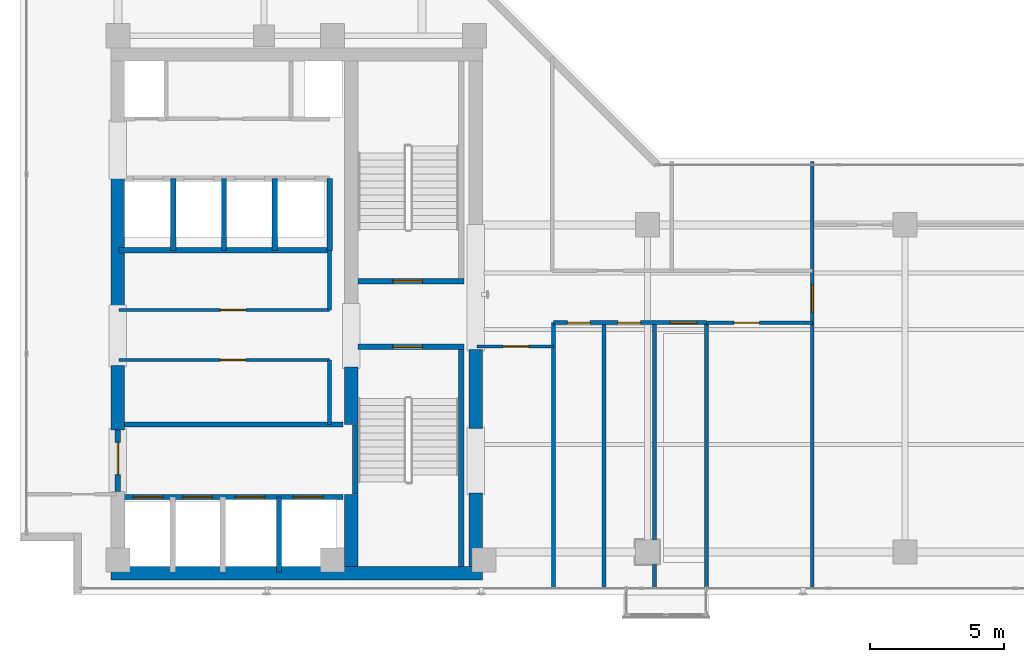
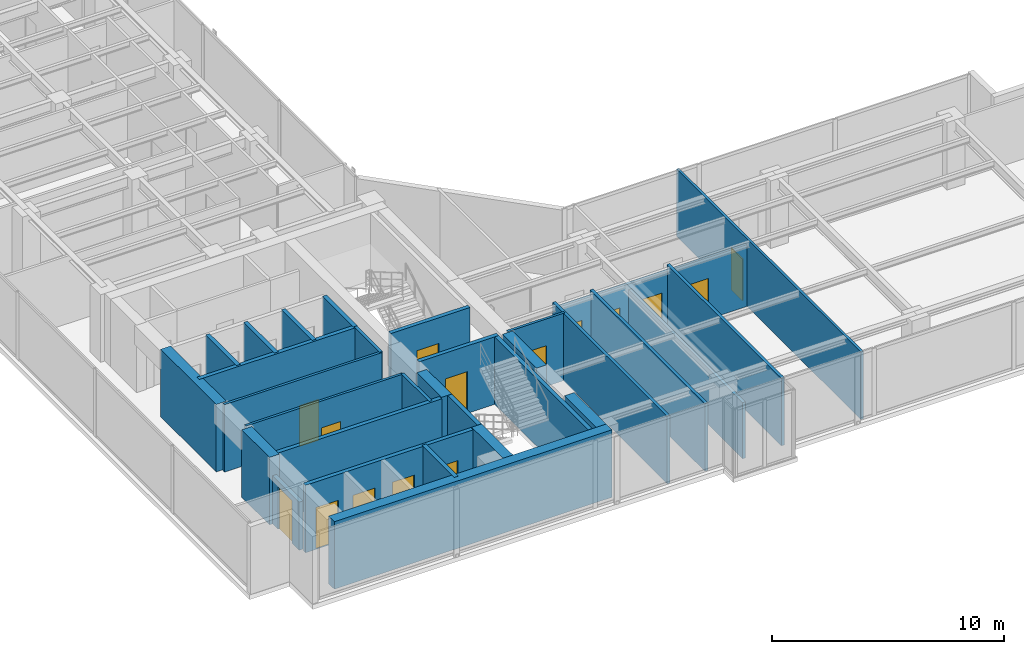
# One storey, part 17 of 22: 32 walls, 15 doors, 15 openings.
"""IFC4 building model written with IfcOpenShell, lengths in metres."""

from ifc_helpers import new_model, si_unit, direction, frame, frame_2d, origin, place, context, subcontext, project, spatial, rectangle, extrude, material, layer, layer_set, type_object, element, fill, save


model = new_model("IFC4")

# Units and contexts
model_context = context("Model", 3, precision=1e-05, world=origin(), true_north=direction((0.0, 1.0)))
body_context = subcontext(model_context, "Body", "Model", "MODEL_VIEW")
ifc_project = project(units=[si_unit("LENGTHUNIT", "METRE"), si_unit("AREAUNIT", "SQUARE_METRE"), si_unit("VOLUMEUNIT", "CUBIC_METRE"), si_unit("PLANEANGLEUNIT", "RADIAN"), si_unit("MASSUNIT", "GRAM", prefix="KILO")], contexts=[model_context])

# Site, building, storey
site_placement = place(None, origin())
site = spatial("IfcSite", under=ifc_project, at=site_placement, CompositionType="ELEMENT")
building_placement = place(site_placement, origin())
building = spatial("IfcBuilding", under=site, at=building_placement, Name="Kolvaren Waterfront Exchange", CompositionType="ELEMENT")
storey_placement = place(building_placement, frame((0.0, 0.0, 308.39990234375)))
storey = spatial("IfcBuildingStorey", under=building, at=storey_placement, Name="L79", CompositionType="ELEMENT", Elevation=308.39990234375)

# Wall, opening, door
ifc_material_1 = material(Name="Precast concrete C40/50", Category="concrete")
ifc_layer_1 = layer(ifc_material_1, 0.199951171875, Name="Precast concrete C40/50")
ifc_layer_set_1 = layer_set([ifc_layer_1], Name="Precast concrete C40/50")
wall_type_1 = type_object("IfcWallType", Name="ARC-FIRE-200", PredefinedType="PARTITIONING", material=ifc_layer_set_1)
wall_1_placement = place(storey_placement, frame((16.39990234375, 12.85009765625, 0.0), z_axis=(0.0, 0.0, 1.0), x_axis=(1.0, 0.0, 0.0)))
wall_1 = element("IfcWall", 1, at=wall_1_placement, inside=storey, type_object=wall_type_1, Name="L79 interior wall PW-L79-ST1-THROAT-S", PredefinedType="PARTITIONING", context=body_context, shape_type="SweptSolid", body=[
    extrude(rectangle(XDim=3.960205078125, YDim=0.199951171875, at=frame_2d((1.97998046875, 0.0))), origin(), (0.0, 0.0, 1.0), 3.56005859375),
])
opening_1_placement = place(wall_1_placement, frame((1.3037109375, 0.0, 0.0)))
opening_1 = element("IfcOpeningElement", 2, at=opening_1_placement, cuts=wall_1, Name="Opening FD2", PredefinedType="OPENING", context=body_context, shape_type="SweptSolid", body=[
    extrude(rectangle(XDim=1.10009765625, YDim=2.199951171875, at=frame_2d((0.550048828125, 1.10009765625))), frame((0.0, 0.10986328125, 0.0), z_axis=(0.0, -1.0, 0.0), x_axis=(1.0, 0.0, 0.0)), (0.0, 0.0, 1.0), 0.219970703125),
])
ifc_material_2 = material(Name="Pressed steel smoke-seal fire door", Category="steel")
door_type_1 = type_object("IfcDoorType", Name="ARC-FD-1100", OperationType="NOTDEFINED", PredefinedType="DOOR", material=ifc_material_2)
door_1_placement = place(opening_1_placement, frame((1.10009765625, 0.0, 0.0), z_axis=(0.0, 0.0, 1.0), x_axis=(-1.0, 0.0, 0.0)))
door_1 = element("IfcDoor", 3, at=door_1_placement, inside=storey, type_object=door_type_1, Name="L79 door DR-L79-ST1-IN (FD2)", OperationType="SINGLE_SWING_RIGHT", OverallHeight=2.199951171875, OverallWidth=1.10009765625, PredefinedType="DOOR", context=body_context, shape_type="SweptSolid", body=[
    extrude(rectangle(XDim=1.10009765625, YDim=2.199951171875, at=frame_2d((0.550048828125, 1.10009765625))), frame((0.0, 0.02490234375, 0.0), z_axis=(0.0, -1.0, 0.0), x_axis=(1.0, 0.0, 0.0)), (0.0, 0.0, 1.0), 0.050048828125),
])
fill(opening_1, door_1)

wall_2_placement = place(storey_placement, frame((16.409912109375, 15.300048828125, 0.0), z_axis=(0.0, 0.0, 1.0), x_axis=(1.0, 0.0, 0.0)))
wall_2 = element("IfcWall", 4, at=wall_2_placement, inside=storey, type_object=wall_type_1, Name="L79 interior wall PW-L79-ST2-THROAT-N", PredefinedType="PARTITIONING", context=body_context, shape_type="SweptSolid", body=[
    extrude(rectangle(XDim=3.9501953125, YDim=0.199951171875, at=frame_2d((1.97509765625, 0.0))), origin(), (0.0, 0.0, 1.0), 3.56005859375),
])
opening_2_placement = place(wall_2_placement, frame((1.293701171875, 0.0, 0.0)))
opening_2 = element("IfcOpeningElement", 5, at=opening_2_placement, cuts=wall_2, Name="Opening FD2", PredefinedType="OPENING", context=body_context, shape_type="SweptSolid", body=[
    extrude(rectangle(XDim=1.10009765625, YDim=2.199951171875, at=frame_2d((0.550048828125, 1.10009765625))), frame((0.0, 0.10986328125, 0.0), z_axis=(0.0, -1.0, 0.0), x_axis=(1.0, 0.0, 0.0)), (0.0, 0.0, 1.0), 0.219970703125),
])
door_2_placement = place(opening_2_placement, origin())
door_2 = element("IfcDoor", 6, at=door_2_placement, inside=storey, type_object=door_type_1, Name="L79 door DR-L79-ST2-IN (FD2)", OperationType="SINGLE_SWING_LEFT", OverallHeight=2.199951171875, OverallWidth=1.10009765625, PredefinedType="DOOR", context=body_context, shape_type="SweptSolid", body=[
    extrude(rectangle(XDim=1.10009765625, YDim=2.199951171875, at=frame_2d((0.550048828125, 1.10009765625))), frame((0.0, 0.02490234375, 0.0), z_axis=(0.0, -1.0, 0.0), x_axis=(1.0, 0.0, 0.0)), (0.0, 0.0, 1.0), 0.050048828125),
])
fill(opening_2, door_2)

# Wall
wall_3_placement = place(storey_placement, frame((7.5, 9.949951171875, 0.0), z_axis=(0.0, 0.0, 1.0), x_axis=(1.0, 0.0, 0.0)))
element("IfcWall", 7, at=wall_3_placement, inside=storey, type_object=wall_type_1, Name="L79 interior wall PW-L79-FF-N", PredefinedType="PARTITIONING", context=body_context, shape_type="SweptSolid", body=[
    extrude(rectangle(XDim=8.35009765625, YDim=0.199951171875, at=frame_2d((4.175048828125, 0.0))), origin(), (0.0, 0.0, 1.0), 3.56005859375),
])

# Wall, opening, door
wall_4_placement = place(storey_placement, frame((7.449951171875, 7.449951171875, 0.0), z_axis=(0.0, 0.0, 1.0), x_axis=(0.0, 1.0, 0.0)))
wall_4 = element("IfcWall", 8, at=wall_4_placement, inside=storey, type_object=wall_type_1, Name="L79 interior wall PW-L79-FF-W-DOOR", PredefinedType="PARTITIONING", context=body_context, shape_type="SweptSolid", body=[
    extrude(rectangle(XDim=2.300048828125, YDim=0.199951171875, at=frame_2d((1.14990234375, 0.0))), origin(), (0.0, 0.0, 1.0), 2.5400390625),
])
opening_3_placement = place(wall_4_placement, frame((0.63330078125, 0.0, 0.0)))
opening_3 = element("IfcOpeningElement", 9, at=opening_3_placement, cuts=wall_4, Name="Opening FD3", PredefinedType="OPENING", context=body_context, shape_type="SweptSolid", body=[
    extrude(rectangle(XDim=1.199951171875, YDim=2.25, at=frame_2d((0.60009765625, 1.125))), frame((0.0, 0.10986328125, 0.0), z_axis=(0.0, -1.0, 0.0), x_axis=(1.0, 0.0, 0.0)), (0.0, 0.0, 1.0), 0.219970703125),
])
ifc_material_3 = material(Name="Pressed steel fire door", Category="steel")
door_type_2 = type_object("IfcDoorType", Name="ARC-FD-1200", OperationType="NOTDEFINED", PredefinedType="DOOR", material=ifc_material_3)
door_3_placement = place(opening_3_placement, frame((1.199951171875, 0.0, 0.0), z_axis=(0.0, 0.0, 1.0), x_axis=(-1.0, 0.0, 0.0)))
door_3 = element("IfcDoor", 10, at=door_3_placement, inside=storey, type_object=door_type_2, Name="L79 door DR-L79-FF-OUT (FD3)", OperationType="SINGLE_SWING_RIGHT", OverallHeight=2.25, OverallWidth=1.199951171875, PredefinedType="DOOR", context=body_context, shape_type="SweptSolid", body=[
    extrude(rectangle(XDim=1.199951171875, YDim=2.25, at=frame_2d((0.60009765625, 1.125))), frame((0.0, 0.02490234375, 0.0), z_axis=(0.0, -1.0, 0.0), x_axis=(1.0, 0.0, 0.0)), (0.0, 0.0, 1.0), 0.050048828125),
])
fill(opening_3, door_3)

ifc_material_4 = material(Name="Acoustic gypsum steel stud", Category="steel")
ifc_layer_2 = layer(ifc_material_4, 0.125, Name="Acoustic gypsum steel stud")
ifc_layer_set_2 = layer_set([ifc_layer_2], Name="Acoustic gypsum steel stud")
wall_type_2 = type_object("IfcWallType", Name="ARC-PART-125", PredefinedType="PARTITIONING", material=ifc_layer_set_2)
wall_5_placement = place(storey_placement, frame((7.5, 12.360107421875, 0.0), z_axis=(0.0, 0.0, 1.0), x_axis=(1.0, 0.0, 0.0)))
wall_5 = element("IfcWall", 11, at=wall_5_placement, inside=storey, type_object=wall_type_2, Name="L79 interior wall PW-L79-REC-HI-S", PredefinedType="PARTITIONING", context=body_context, shape_type="SweptSolid", body=[
    extrude(rectangle(XDim=7.85009765625, YDim=0.125, at=frame_2d((3.925048828125, 0.0))), origin(), (0.0, 0.0, 1.0), 3.56005859375),
])
opening_4_placement = place(wall_5_placement, frame((3.77490234375, 0.0, 0.0)))
opening_4 = element("IfcOpeningElement", 12, at=opening_4_placement, cuts=wall_5, Name="Opening D02", PredefinedType="OPENING", context=body_context, shape_type="SweptSolid", body=[
    extrude(rectangle(XDim=0.949951171875, YDim=2.14990234375, at=frame_2d((0.47509765625, 1.074951171875))), frame((0.0, 0.072509765625, 0.0), z_axis=(0.0, -1.0, 0.0), x_axis=(1.0, 0.0, 0.0)), (0.0, 0.0, 1.0), 0.14501953125),
])
ifc_material_5 = material(Name="Oak veneer acoustic timber", Category="wood")
door_type_3 = type_object("IfcDoorType", Name="ARC-DR-950", OperationType="NOTDEFINED", PredefinedType="DOOR", material=ifc_material_5)
door_4_placement = place(opening_4_placement, origin())
door_4 = element("IfcDoor", 13, at=door_4_placement, inside=storey, type_object=door_type_3, Name="L79 door DR-L79-REC-HI-D1 (D02)", OperationType="SINGLE_SWING_LEFT", OverallHeight=2.14990234375, OverallWidth=0.949951171875, PredefinedType="DOOR", context=body_context, shape_type="SweptSolid", body=[
    extrude(rectangle(XDim=0.949951171875, YDim=2.14990234375, at=frame_2d((0.47509765625, 1.074951171875))), frame((0.0, 0.02490234375, 0.0), z_axis=(0.0, -1.0, 0.0), x_axis=(1.0, 0.0, 0.0)), (0.0, 0.0, 1.0), 0.050048828125),
])
fill(opening_4, door_4)

wall_6_placement = place(storey_placement, frame((7.5, 14.219970703125, 0.0), z_axis=(0.0, 0.0, 1.0), x_axis=(1.0, 0.0, 0.0)))
wall_6 = element("IfcWall", 14, at=wall_6_placement, inside=storey, type_object=wall_type_2, Name="L79 interior wall PW-L79-REC-HI-N", PredefinedType="PARTITIONING", context=body_context, shape_type="SweptSolid", body=[
    extrude(rectangle(XDim=7.85009765625, YDim=0.125, at=frame_2d((3.925048828125, 0.0))), origin(), (0.0, 0.0, 1.0), 3.56005859375),
])
opening_5_placement = place(wall_6_placement, frame((3.77490234375, 0.0, 0.0)))
opening_5 = element("IfcOpeningElement", 15, at=opening_5_placement, cuts=wall_6, Name="Opening D02", PredefinedType="OPENING", context=body_context, shape_type="SweptSolid", body=[
    extrude(rectangle(XDim=0.949951171875, YDim=2.14990234375, at=frame_2d((0.47509765625, 1.074951171875))), frame((0.0, 0.072509765625, 0.0), z_axis=(0.0, -1.0, 0.0), x_axis=(1.0, 0.0, 0.0)), (0.0, 0.0, 1.0), 0.14501953125),
])
door_5_placement = place(opening_5_placement, origin())
door_5 = element("IfcDoor", 16, at=door_5_placement, inside=storey, type_object=door_type_3, Name="L79 door DR-L79-REC-HI-D2 (D02)", OperationType="SINGLE_SWING_RIGHT", OverallHeight=2.14990234375, OverallWidth=0.949951171875, PredefinedType="DOOR", context=body_context, shape_type="SweptSolid", body=[
    extrude(rectangle(XDim=0.949951171875, YDim=2.14990234375, at=frame_2d((0.47509765625, 1.074951171875))), frame((0.0, 0.02490234375, 0.0), z_axis=(0.0, -1.0, 0.0), x_axis=(1.0, 0.0, 0.0)), (0.0, 0.0, 1.0), 0.050048828125),
])
fill(opening_5, door_5)

wall_7_placement = place(storey_placement, frame((20.85009765625, 12.860107421875, 0.0), z_axis=(0.0, 0.0, 1.0), x_axis=(1.0, 0.0, 0.0)))
wall_7 = element("IfcWall", 17, at=wall_7_placement, inside=storey, type_object=wall_type_2, Name="L79 interior wall PW-L79-SWST3-N", PredefinedType="PARTITIONING", context=body_context, shape_type="SweptSolid", body=[
    extrude(rectangle(XDim=2.849853515625, YDim=0.125, at=frame_2d((1.4248046875, 0.0))), origin(), (0.0, 0.0, 1.0), 3.56005859375),
])
opening_6_placement = place(wall_7_placement, frame((0.971435546875, 0.0, 0.0)))
opening_6 = element("IfcOpeningElement", 18, at=opening_6_placement, cuts=wall_7, Name="Opening D02", PredefinedType="OPENING", context=body_context, shape_type="SweptSolid", body=[
    extrude(rectangle(XDim=0.949951171875, YDim=2.14990234375, at=frame_2d((0.47509765625, 1.074951171875))), frame((0.0, 0.072509765625, 0.0), z_axis=(0.0, -1.0, 0.0), x_axis=(1.0, 0.0, 0.0)), (0.0, 0.0, 1.0), 0.14501953125),
])
door_6_placement = place(opening_6_placement, origin())
door_6 = element("IfcDoor", 19, at=door_6_placement, inside=storey, type_object=door_type_3, Name="L79 door DR-L79-SWST3-D (D02)", OperationType="SINGLE_SWING_LEFT", OverallHeight=2.14990234375, OverallWidth=0.949951171875, PredefinedType="DOOR", context=body_context, shape_type="SweptSolid", body=[
    extrude(rectangle(XDim=0.949951171875, YDim=2.14990234375, at=frame_2d((0.47509765625, 1.074951171875))), frame((0.0, 0.02490234375, 0.0), z_axis=(0.0, -1.0, 0.0), x_axis=(1.0, 0.0, 0.0)), (0.0, 0.0, 1.0), 0.050048828125),
])
fill(opening_6, door_6)

wall_8_placement = place(storey_placement, frame((29.39990234375, 13.75, 0.0), z_axis=(0.0, 0.0, 1.0), x_axis=(1.0, 0.0, 0.0)))
wall_8 = element("IfcWall", 20, at=wall_8_placement, inside=storey, type_object=wall_type_2, Name="L79 interior wall PW-L79-ES-CORR", PredefinedType="PARTITIONING", context=body_context, shape_type="SweptSolid", body=[
    extrude(rectangle(XDim=3.9501953125, YDim=0.125, at=frame_2d((1.97509765625, 0.0))), origin(), (0.0, 0.0, 1.0), 3.260009765625),
])
opening_7_placement = place(wall_8_placement, frame((1.02490234375, 0.0, 0.0)))
opening_7 = element("IfcOpeningElement", 21, at=opening_7_placement, cuts=wall_8, Name="Opening D02", PredefinedType="OPENING", context=body_context, shape_type="SweptSolid", body=[
    extrude(rectangle(XDim=0.949951171875, YDim=2.14990234375, at=frame_2d((0.47509765625, 1.074951171875))), frame((0.0, 0.072509765625, 0.0), z_axis=(0.0, -1.0, 0.0), x_axis=(1.0, 0.0, 0.0)), (0.0, 0.0, 1.0), 0.14501953125),
])
door_7_placement = place(opening_7_placement, origin())
door_7 = element("IfcDoor", 22, at=door_7_placement, inside=storey, type_object=door_type_3, Name="L79 door DR-L79-ES-D-1 (D02)", OperationType="SINGLE_SWING_RIGHT", OverallHeight=2.14990234375, OverallWidth=0.949951171875, PredefinedType="DOOR", context=body_context, shape_type="SweptSolid", body=[
    extrude(rectangle(XDim=0.949951171875, YDim=2.14990234375, at=frame_2d((0.47509765625, 1.074951171875))), frame((0.0, 0.02490234375, 0.0), z_axis=(0.0, -1.0, 0.0), x_axis=(1.0, 0.0, 0.0)), (0.0, 0.0, 1.0), 0.050048828125),
])
fill(opening_7, door_7)

wall_9_placement = place(storey_placement, frame((33.35009765625, 3.840087890625, 0.0), z_axis=(0.0, 0.0, 1.0), x_axis=(0.0, 1.0, 0.0)))
wall_9 = element("IfcWall", 23, at=wall_9_placement, inside=storey, type_object=wall_type_2, Name="L79 interior wall PW-L79-ETIP-W", PredefinedType="PARTITIONING", context=body_context, shape_type="SweptSolid", body=[
    extrude(rectangle(XDim=15.919921875, YDim=0.125, at=frame_2d((7.9599609375, 0.0))), origin(), (0.0, 0.0, 1.0), 3.56005859375),
])
opening_8_placement = place(wall_9_placement, frame((10.31005859375, 0.0, 0.0)))
opening_8 = element("IfcOpeningElement", 24, at=opening_8_placement, cuts=wall_9, Name="Opening D03", PredefinedType="OPENING", context=body_context, shape_type="SweptSolid", body=[
    extrude(rectangle(XDim=1.0, YDim=2.199951171875, at=frame_2d((0.5, 1.10009765625))), frame((0.0, 0.072509765625, 0.0), z_axis=(0.0, -1.0, 0.0), x_axis=(1.0, 0.0, 0.0)), (0.0, 0.0, 1.0), 0.14501953125),
])
ifc_material_6 = material(Name="Oak veneer accessible timber", Category="wood")
door_type_4 = type_object("IfcDoorType", Name="ARC-DR-1000", OperationType="NOTDEFINED", PredefinedType="DOOR", material=ifc_material_6)
door_8_placement = place(opening_8_placement, origin())
door_8 = element("IfcDoor", 25, at=door_8_placement, inside=storey, type_object=door_type_4, Name="L79 door DR-L79-ETIP1-D (D03)", OperationType="SINGLE_SWING_LEFT", OverallHeight=2.199951171875, OverallWidth=1.0, PredefinedType="DOOR", context=body_context, shape_type="SweptSolid", body=[
    extrude(rectangle(XDim=1.0, YDim=2.199951171875, at=frame_2d((0.5, 1.10009765625))), frame((0.0, 0.02490234375, 0.0), z_axis=(0.0, -1.0, 0.0), x_axis=(1.0, 0.0, 0.0)), (0.0, 0.0, 1.0), 0.050048828125),
])
fill(opening_8, door_8)

# Walls
ifc_material_7 = material(Name="Gypsum fireboard steel stud", Category="steel")
ifc_layer_3 = layer(ifc_material_7, 0.14990234375, Name="Gypsum fireboard steel stud")
ifc_layer_set_3 = layer_set([ifc_layer_3], Name="Gypsum fireboard steel stud")
wall_type_3 = type_object("IfcWallType", Name="ARC-PART-150", PredefinedType="PARTITIONING", material=ifc_layer_set_3)
wall_10_placement = place(storey_placement, frame((15.35009765625, 9.949951171875, 0.0), z_axis=(0.0, 0.0, 1.0), x_axis=(0.0, 1.0, 0.0)))
element("IfcWall", 26, at=wall_10_placement, inside=storey, type_object=wall_type_3, Name="L79 interior wall PW-L79-REC-HI-E1", PredefinedType="PARTITIONING", context=body_context, shape_type="SweptSolid", body=[
    extrude(rectangle(XDim=2.41015625, YDim=0.14990234375, at=frame_2d((1.205078125, 0.0))), origin(), (0.0, 0.0, 1.0), 3.56005859375),
])
wall_11_placement = place(storey_placement, frame((15.35009765625, 14.219970703125, 0.0), z_axis=(0.0, 0.0, 1.0), x_axis=(0.0, 1.0, 0.0)))
element("IfcWall", 27, at=wall_11_placement, inside=storey, type_object=wall_type_3, Name="L79 interior wall PW-L79-REC-HI-E2", PredefinedType="PARTITIONING", context=body_context, shape_type="SweptSolid", body=[
    extrude(rectangle(XDim=2.22998046875, YDim=0.14990234375, at=frame_2d((1.114990234375, 0.0))), origin(), (0.0, 0.0, 1.0), 3.56005859375),
])
ifc_material_8 = material(Name="Moisture-resistant gypsum stud")
ifc_layer_4 = layer(ifc_material_8, 0.14990234375, Name="Moisture-resistant gypsum stud")
ifc_layer_set_4 = layer_set([ifc_layer_4], Name="Moisture-resistant gypsum stud")
wall_type_4 = type_object("IfcWallType", Name="ARC-PLUMB-150", PredefinedType="PLUMBINGWALL", material=ifc_layer_set_4)
wall_12_placement = place(storey_placement, frame((23.699951171875, 3.840087890625, 0.0), z_axis=(0.0, 0.0, 1.0), x_axis=(0.0, 1.0, 0.0)))
element("IfcWall", 28, at=wall_12_placement, inside=storey, type_object=wall_type_4, Name="L79 interior wall PW-L79-WC-0", PredefinedType="PLUMBINGWALL", context=body_context, shape_type="SweptSolid", body=[
    extrude(rectangle(XDim=9.909912109375, YDim=0.14990234375, at=frame_2d((4.955078125, 0.0))), origin(), (0.0, 0.0, 1.0), 3.56005859375),
])

# Wall, openings, doors
wall_13_placement = place(storey_placement, frame((23.699951171875, 13.75, 0.0), z_axis=(0.0, 0.0, 1.0), x_axis=(1.0, 0.0, 0.0)))
wall_13 = element("IfcWall", 29, at=wall_13_placement, inside=storey, type_object=wall_type_4, Name="L79 interior wall PW-L79-WC-N", PredefinedType="PLUMBINGWALL", context=body_context, shape_type="SweptSolid", body=[
    extrude(rectangle(XDim=5.699951171875, YDim=0.14990234375, at=frame_2d((2.85009765625, 0.0))), origin(), (0.0, 0.0, 1.0), 3.260009765625),
])
opening_9_placement = place(wall_13_placement, frame((0.514892578125, 0.0, 0.0)))
opening_9 = element("IfcOpeningElement", 30, at=opening_9_placement, cuts=wall_13, Name="Opening D01", PredefinedType="OPENING", context=body_context, shape_type="SweptSolid", body=[
    extrude(rectangle(XDim=0.85009765625, YDim=2.14990234375, at=frame_2d((0.425048828125, 1.074951171875))), frame((0.0, 0.0849609375, 0.0), z_axis=(0.0, -1.0, 0.0), x_axis=(1.0, 0.0, 0.0)), (0.0, 0.0, 1.0), 0.169921875),
])
opening_10_placement = place(wall_13_placement, frame((2.39501953125, 0.0, 0.0)))
opening_10 = element("IfcOpeningElement", 31, at=opening_10_placement, cuts=wall_13, Name="Opening D01", PredefinedType="OPENING", context=body_context, shape_type="SweptSolid", body=[
    extrude(rectangle(XDim=0.85009765625, YDim=2.14990234375, at=frame_2d((0.425048828125, 1.074951171875))), frame((0.0, 0.0849609375, 0.0), z_axis=(0.0, -1.0, 0.0), x_axis=(1.0, 0.0, 0.0)), (0.0, 0.0, 1.0), 0.169921875),
])
opening_11_placement = place(wall_13_placement, frame((4.35009765625, 0.0, 0.0)))
opening_11 = element("IfcOpeningElement", 32, at=opening_11_placement, cuts=wall_13, Name="Opening D03", PredefinedType="OPENING", context=body_context, shape_type="SweptSolid", body=[
    extrude(rectangle(XDim=1.0, YDim=2.199951171875, at=frame_2d((0.5, 1.10009765625))), frame((0.0, 0.0849609375, 0.0), z_axis=(0.0, -1.0, 0.0), x_axis=(1.0, 0.0, 0.0)), (0.0, 0.0, 1.0), 0.169921875),
])
door_9_placement = place(opening_11_placement, origin())
door_9 = element("IfcDoor", 33, at=door_9_placement, inside=storey, type_object=door_type_4, Name="L79 door DR-L79-WCA-D (D03)", OperationType="SINGLE_SWING_LEFT", OverallHeight=2.199951171875, OverallWidth=1.0, PredefinedType="DOOR", context=body_context, shape_type="SweptSolid", body=[
    extrude(rectangle(XDim=1.0, YDim=2.199951171875, at=frame_2d((0.5, 1.10009765625))), frame((0.0, 0.02490234375, 0.0), z_axis=(0.0, -1.0, 0.0), x_axis=(1.0, 0.0, 0.0)), (0.0, 0.0, 1.0), 0.050048828125),
])
fill(opening_11, door_9)
ifc_material_9 = material(Name="Oak veneer timber leaf", Category="wood")
door_type_5 = type_object("IfcDoorType", Name="ARC-DR-900", OperationType="NOTDEFINED", PredefinedType="DOOR", material=ifc_material_9)
door_10_placement = place(opening_9_placement, origin())
door_10 = element("IfcDoor", 34, at=door_10_placement, inside=storey, type_object=door_type_5, Name="L79 door DR-L79-WCM-D (D01)", OperationType="SINGLE_SWING_LEFT", OverallHeight=2.14990234375, OverallWidth=0.85009765625, PredefinedType="DOOR", context=body_context, shape_type="SweptSolid", body=[
    extrude(rectangle(XDim=0.85009765625, YDim=2.14990234375, at=frame_2d((0.425048828125, 1.074951171875))), frame((0.0, 0.02490234375, 0.0), z_axis=(0.0, -1.0, 0.0), x_axis=(1.0, 0.0, 0.0)), (0.0, 0.0, 1.0), 0.050048828125),
])
fill(opening_9, door_10)
door_11_placement = place(opening_10_placement, origin())
door_11 = element("IfcDoor", 35, at=door_11_placement, inside=storey, type_object=door_type_5, Name="L79 door DR-L79-WCF-D (D01)", OperationType="SINGLE_SWING_RIGHT", OverallHeight=2.14990234375, OverallWidth=0.85009765625, PredefinedType="DOOR", context=body_context, shape_type="SweptSolid", body=[
    extrude(rectangle(XDim=0.85009765625, YDim=2.14990234375, at=frame_2d((0.425048828125, 1.074951171875))), frame((0.0, 0.02490234375, 0.0), z_axis=(0.0, -1.0, 0.0), x_axis=(1.0, 0.0, 0.0)), (0.0, 0.0, 1.0), 0.050048828125),
])
fill(opening_10, door_11)

# Walls
wall_14_placement = place(storey_placement, frame((25.580078125, 3.840087890625, 0.0), z_axis=(0.0, 0.0, 1.0), x_axis=(0.0, 1.0, 0.0)))
element("IfcWall", 36, at=wall_14_placement, inside=storey, type_object=wall_type_4, Name="L79 interior wall PW-L79-WC-1", PredefinedType="PLUMBINGWALL", context=body_context, shape_type="SweptSolid", body=[
    extrude(rectangle(XDim=9.909912109375, YDim=0.14990234375, at=frame_2d((4.955078125, 0.0))), origin(), (0.0, 0.0, 1.0), 3.56005859375),
])
wall_15_placement = place(storey_placement, frame((27.4599609375, 3.840087890625, 0.0), z_axis=(0.0, 0.0, 1.0), x_axis=(0.0, 1.0, 0.0)))
element("IfcWall", 37, at=wall_15_placement, inside=storey, type_object=wall_type_4, Name="L79 interior wall PW-L79-WC-2", PredefinedType="PLUMBINGWALL", context=body_context, shape_type="SweptSolid", body=[
    extrude(rectangle(XDim=9.909912109375, YDim=0.14990234375, at=frame_2d((4.955078125, 0.0))), origin(), (0.0, 0.0, 1.0), 2.960205078125),
])
wall_16_placement = place(storey_placement, frame((29.39990234375, 3.840087890625, 0.0), z_axis=(0.0, 0.0, 1.0), x_axis=(0.0, 1.0, 0.0)))
element("IfcWall", 38, at=wall_16_placement, inside=storey, type_object=wall_type_4, Name="L79 interior wall PW-L79-WC-3", PredefinedType="PLUMBINGWALL", context=body_context, shape_type="SweptSolid", body=[
    extrude(rectangle(XDim=9.909912109375, YDim=0.14990234375, at=frame_2d((4.955078125, 0.0))), origin(), (0.0, 0.0, 1.0), 3.56005859375),
])
ifc_material_10 = material(Name="Concrete C40/50", Category="concrete")
ifc_layer_5 = layer(ifc_material_10, 0.199951171875, Name="Concrete C40/50")
ifc_layer_set_5 = layer_set([ifc_layer_5], Name="Concrete C40/50")
wall_type_5 = type_object("IfcWallType", Name="ARC-SHAFT-200", PredefinedType="PARTITIONING", material=ifc_layer_set_5)
wall_17_placement = place(storey_placement, frame((16.300048828125, 7.360107421875, 0.0), z_axis=(0.0, 0.0, 1.0), x_axis=(0.0, 1.0, 0.0)))
element("IfcWall", 39, at=wall_17_placement, inside=storey, type_object=wall_type_5, Name="L79 structural stairwell wall PW-L79-ST1-W", PredefinedType="SHEAR", context=body_context, shape_type="SweptSolid", body=[
    extrude(rectangle(XDim=2.579833984375, YDim=0.199951171875, at=frame_2d((1.2900390625, 0.0))), origin(), (0.0, 0.0, 1.0), 3.56005859375),
])
wall_18_placement = place(storey_placement, frame((20.260009765625, 4.659912109375, 0.0), z_axis=(0.0, 0.0, 1.0), x_axis=(0.0, 1.0, 0.0)))
element("IfcWall", 40, at=wall_18_placement, inside=storey, type_object=wall_type_5, Name="L79 structural stairwell wall PW-L79-ST1-E", PredefinedType="SHEAR", context=body_context, shape_type="SweptSolid", body=[
    extrude(rectangle(XDim=8.090087890625, YDim=0.199951171875, at=frame_2d((4.044921875, 0.0))), origin(), (0.0, 0.0, 1.0), 3.56005859375),
])

# Wall, openings, doors
wall_19_placement = place(storey_placement, frame((7.5, 7.25, 0.0), z_axis=(0.0, 0.0, 1.0), x_axis=(1.0, 0.0, 0.0)))
wall_19 = element("IfcWall", 41, at=wall_19_placement, inside=storey, type_object=wall_type_5, Name="L79 interior wall PW-L79-FF-S", PredefinedType="PARTITIONING", context=body_context, shape_type="SweptSolid", body=[
    extrude(rectangle(XDim=8.35009765625, YDim=0.199951171875, at=frame_2d((4.175048828125, 0.0))), origin(), (0.0, 0.0, 1.0), 3.56005859375),
])
opening_12_placement = place(wall_19_placement, frame((0.530029296875, 0.0, 0.0)))
opening_12 = element("IfcOpeningElement", 42, at=opening_12_placement, cuts=wall_19, Name="Opening LD1", PredefinedType="OPENING", context=body_context, shape_type="SweptSolid", body=[
    extrude(rectangle(XDim=1.10009765625, YDim=2.199951171875, at=frame_2d((0.550048828125, 1.10009765625))), frame((0.0, 0.10986328125, 0.0), z_axis=(0.0, -1.0, 0.0), x_axis=(1.0, 0.0, 0.0)), (0.0, 0.0, 1.0), 0.219970703125),
])
opening_13_placement = place(wall_19_placement, frame((2.3701171875, 0.0, 0.0)))
opening_13 = element("IfcOpeningElement", 43, at=opening_13_placement, cuts=wall_19, Name="Opening LD1", PredefinedType="OPENING", context=body_context, shape_type="SweptSolid", body=[
    extrude(rectangle(XDim=1.10009765625, YDim=2.199951171875, at=frame_2d((0.550048828125, 1.10009765625))), frame((0.0, 0.10986328125, 0.0), z_axis=(0.0, -1.0, 0.0), x_axis=(1.0, 0.0, 0.0)), (0.0, 0.0, 1.0), 0.219970703125),
])
opening_14_placement = place(wall_19_placement, frame((4.330078125, 0.0, 0.0)))
opening_14 = element("IfcOpeningElement", 44, at=opening_14_placement, cuts=wall_19, Name="Opening LD1", PredefinedType="OPENING", context=body_context, shape_type="SweptSolid", body=[
    extrude(rectangle(XDim=1.10009765625, YDim=2.199951171875, at=frame_2d((0.550048828125, 1.10009765625))), frame((0.0, 0.10986328125, 0.0), z_axis=(0.0, -1.0, 0.0), x_axis=(1.0, 0.0, 0.0)), (0.0, 0.0, 1.0), 0.219970703125),
])
opening_15_placement = place(wall_19_placement, frame((6.5, 0.0, 0.0)))
opening_15 = element("IfcOpeningElement", 45, at=opening_15_placement, cuts=wall_19, Name="Opening LD1", PredefinedType="OPENING", context=body_context, shape_type="SweptSolid", body=[
    extrude(rectangle(XDim=1.10009765625, YDim=2.199951171875, at=frame_2d((0.550048828125, 1.10009765625))), frame((0.0, 0.10986328125, 0.0), z_axis=(0.0, -1.0, 0.0), x_axis=(1.0, 0.0, 0.0)), (0.0, 0.0, 1.0), 0.219970703125),
])
ifc_material_11 = material(Name="Stainless steel sliding landing door", Category="steel")
door_type_6 = type_object("IfcDoorType", Name="ARC-LD-FF", OperationType="SLIDING_TO_LEFT", PredefinedType="DOOR", material=ifc_material_11)
door_12_placement = place(opening_12_placement, origin())
door_12 = element("IfcDoor", 46, at=door_12_placement, inside=storey, type_object=door_type_6, Name="L79 door LD-L79-FFL1 (LD1)", OperationType="SLIDING_TO_LEFT", OverallHeight=2.199951171875, OverallWidth=1.10009765625, PredefinedType="DOOR", context=body_context, shape_type="SweptSolid", body=[
    extrude(rectangle(XDim=1.10009765625, YDim=2.199951171875, at=frame_2d((0.550048828125, 1.10009765625))), frame((0.0, 0.02490234375, 0.0), z_axis=(0.0, -1.0, 0.0), x_axis=(1.0, 0.0, 0.0)), (0.0, 0.0, 1.0), 0.050048828125),
])
fill(opening_12, door_12)
door_13_placement = place(opening_13_placement, origin())
door_13 = element("IfcDoor", 47, at=door_13_placement, inside=storey, type_object=door_type_6, Name="L79 door LD-L79-FFL2 (LD1)", OperationType="SLIDING_TO_LEFT", OverallHeight=2.199951171875, OverallWidth=1.10009765625, PredefinedType="DOOR", context=body_context, shape_type="SweptSolid", body=[
    extrude(rectangle(XDim=1.10009765625, YDim=2.199951171875, at=frame_2d((0.550048828125, 1.10009765625))), frame((0.0, 0.02490234375, 0.0), z_axis=(0.0, -1.0, 0.0), x_axis=(1.0, 0.0, 0.0)), (0.0, 0.0, 1.0), 0.050048828125),
])
fill(opening_13, door_13)
door_14_placement = place(opening_14_placement, origin())
door_14 = element("IfcDoor", 48, at=door_14_placement, inside=storey, type_object=door_type_6, Name="L79 door LD-L79-GL1 (LD1)", OperationType="SLIDING_TO_LEFT", OverallHeight=2.199951171875, OverallWidth=1.10009765625, PredefinedType="DOOR", context=body_context, shape_type="SweptSolid", body=[
    extrude(rectangle(XDim=1.10009765625, YDim=2.199951171875, at=frame_2d((0.550048828125, 1.10009765625))), frame((0.0, 0.02490234375, 0.0), z_axis=(0.0, -1.0, 0.0), x_axis=(1.0, 0.0, 0.0)), (0.0, 0.0, 1.0), 0.050048828125),
])
fill(opening_14, door_14)
door_15_placement = place(opening_15_placement, origin())
door_15 = element("IfcDoor", 49, at=door_15_placement, inside=storey, type_object=door_type_6, Name="L79 door LD-L79-GL2 (LD1)", OperationType="SLIDING_TO_LEFT", OverallHeight=2.199951171875, OverallWidth=1.10009765625, PredefinedType="DOOR", context=body_context, shape_type="SweptSolid", body=[
    extrude(rectangle(XDim=1.10009765625, YDim=2.199951171875, at=frame_2d((0.550048828125, 1.10009765625))), frame((0.0, 0.02490234375, 0.0), z_axis=(0.0, -1.0, 0.0), x_axis=(1.0, 0.0, 0.0)), (0.0, 0.0, 1.0), 0.050048828125),
])
fill(opening_15, door_15)

# Walls
wall_20_placement = place(storey_placement, frame((13.4599609375, 4.449951171875, 0.0), z_axis=(0.0, 0.0, 1.0), x_axis=(0.0, 1.0, 0.0)))
element("IfcWall", 50, at=wall_20_placement, inside=storey, type_object=wall_type_5, Name="L79 interior wall PW-L79-SH1-DIV-134", PredefinedType="PARTITIONING", context=body_context, shape_type="SweptSolid", body=[
    extrude(rectangle(XDim=2.800048828125, YDim=0.199951171875, at=frame_2d((1.39990234375, 0.0))), origin(), (0.0, 0.0, 1.0), 3.56005859375),
])
wall_21_placement = place(storey_placement, frame((7.5, 16.449951171875, 0.0), z_axis=(0.0, 0.0, 1.0), x_axis=(1.0, 0.0, 0.0)))
element("IfcWall", 51, at=wall_21_placement, inside=storey, type_object=wall_type_5, Name="L79 interior wall PW-L79-REC-PM-N", PredefinedType="PARTITIONING", context=body_context, shape_type="SweptSolid", body=[
    extrude(rectangle(XDim=7.85009765625, YDim=0.199951171875, at=frame_2d((3.925048828125, 0.0))), origin(), (0.0, 0.0, 1.0), 3.56005859375),
])
for number, where, z_axis, x_axis, name in (
    (52, (15.35009765625, 16.449951171875, 0.0), (0.0, 0.0, 1.0), (0.0, 1.0, 0.0), "L79 interior wall PW-L79-PH-E"),
    (53, (9.52001953125, 16.449951171875, 0.0), (0.0, 0.0, 1.0), (0.0, 1.0, 0.0), "L79 interior wall PW-L79-SH4-DIV-95"),
    (54, (11.409912109375, 16.449951171875, 0.0), (0.0, 0.0, 1.0), (0.0, 1.0, 0.0), "L79 interior wall PW-L79-SH4-DIV-114"),
    (55, (13.300048828125, 16.449951171875, 0.0), (0.0, 0.0, 1.0), (0.0, 1.0, 0.0), "L79 interior wall PW-L79-SH4-DIV-133"),
):
    element("IfcWall", number, at=place(storey_placement, frame(where, z_axis=z_axis, x_axis=x_axis)), inside=storey, type_object=wall_type_5, Name=name, PredefinedType="PARTITIONING", context=body_context, shape_type="SweptSolid", body=[
        extrude(rectangle(XDim=2.670166015625, YDim=0.199951171875, at=frame_2d((1.3349609375, 0.0))), origin(), (0.0, 0.0, 1.0), 3.56005859375),
    ])
ifc_material_12 = material(Name="Concrete C50/60", Category="concrete")
ifc_layer_6 = layer(ifc_material_12, 0.5, Name="Concrete C50/60")
ifc_layer_set_6 = layer_set([ifc_layer_6], Name="Concrete C50/60")
wall_type_6 = type_object("IfcWallType", Name="STR-CWALL-500", PredefinedType="SHEAR", material=ifc_layer_set_6)
wall_22_placement = place(storey_placement, frame((7.199951171875, 4.39990234375, 0.0), z_axis=(0.0, 0.0, 1.0), x_axis=(1.0, 0.0, 0.0)))
element("IfcWall", 56, at=wall_22_placement, inside=storey, type_object=wall_type_6, Name="L79 rear-core shear wall S", PredefinedType="SHEAR", context=body_context, shape_type="SweptSolid", body=[
    extrude(rectangle(XDim=13.85009765625, YDim=0.5, at=frame_2d((6.925048828125, 0.0))), origin(), (0.0, 0.0, 1.0), 3.56005859375),
])
wall_23_placement = place(storey_placement, frame((7.449951171875, 9.75, 0.0), z_axis=(0.0, 0.0, 1.0), x_axis=(0.0, 1.0, 0.0)))
element("IfcWall", 57, at=wall_23_placement, inside=storey, type_object=wall_type_6, Name="L79 rear-core shear wall W2A", PredefinedType="SHEAR", context=body_context, shape_type="SweptSolid", body=[
    extrude(rectangle(XDim=2.39990234375, YDim=0.5, at=frame_2d((1.199951171875, 0.0))), origin(), (0.0, 0.0, 1.0), 3.56005859375),
])
wall_24_placement = place(storey_placement, frame((7.449951171875, 14.35009765625, 0.0), z_axis=(0.0, 0.0, 1.0), x_axis=(0.0, 1.0, 0.0)))
element("IfcWall", 58, at=wall_24_placement, inside=storey, type_object=wall_type_6, Name="L79 rear-core shear wall W2B", PredefinedType="SHEAR", context=body_context, shape_type="SweptSolid", body=[
    extrude(rectangle(XDim=4.809814453125, YDim=0.5, at=frame_2d((2.40478515625, 0.0))), origin(), (0.0, 0.0, 1.0), 3.56005859375),
])
wall_25_placement = place(storey_placement, frame((20.800048828125, 4.64990234375, 0.0), z_axis=(0.0, 0.0, 1.0), x_axis=(0.0, 1.0, 0.0)))
element("IfcWall", 59, at=wall_25_placement, inside=storey, type_object=wall_type_6, Name="L79 rear-core shear wall E1", PredefinedType="SHEAR", context=body_context, shape_type="SweptSolid", body=[
    extrude(rectangle(XDim=2.75, YDim=0.5, at=frame_2d((1.375, 0.0))), origin(), (0.0, 0.0, 1.0), 3.56005859375),
])
wall_26_placement = place(storey_placement, frame((20.800048828125, 9.800048828125, 0.0), z_axis=(0.0, 0.0, 1.0), x_axis=(0.0, 1.0, 0.0)))
element("IfcWall", 60, at=wall_26_placement, inside=storey, type_object=wall_type_6, Name="L79 rear-core shear wall E2", PredefinedType="SHEAR", context=body_context, shape_type="SweptSolid", body=[
    extrude(rectangle(XDim=2.949951171875, YDim=0.5, at=frame_2d((1.47509765625, 0.0))), origin(), (0.0, 0.0, 1.0), 3.56005859375),
])
wall_27_placement = place(storey_placement, frame((16.14990234375, 4.64990234375, 0.0), z_axis=(0.0, 0.0, 1.0), x_axis=(0.0, 1.0, 0.0)))
element("IfcWall", 61, at=wall_27_placement, inside=storey, type_object=wall_type_6, Name="L79 rear-core shear wall M1", PredefinedType="SHEAR", context=body_context, shape_type="SweptSolid", body=[
    extrude(rectangle(XDim=2.7001953125, YDim=0.5, at=frame_2d((1.35009765625, 0.0))), origin(), (0.0, 0.0, 1.0), 3.56005859375),
])
wall_28_placement = place(storey_placement, frame((16.14990234375, 9.949951171875, 0.0), z_axis=(0.0, 0.0, 1.0), x_axis=(0.0, 1.0, 0.0)))
element("IfcWall", 62, at=wall_28_placement, inside=storey, type_object=wall_type_6, Name="L79 rear-core shear wall M2", PredefinedType="SHEAR", context=body_context, shape_type="SweptSolid", body=[
    extrude(rectangle(XDim=2.150146484375, YDim=0.5, at=frame_2d((1.0751953125, 0.0))), origin(), (0.0, 0.0, 1.0), 3.56005859375),
])

save(model, "model.ifc")
